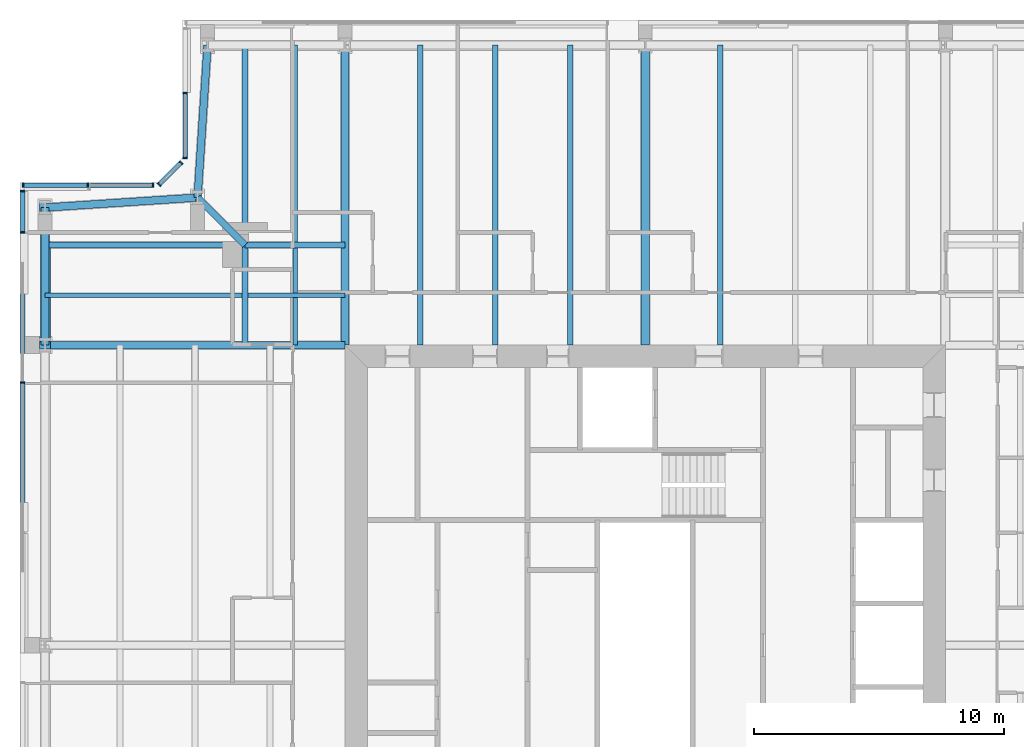
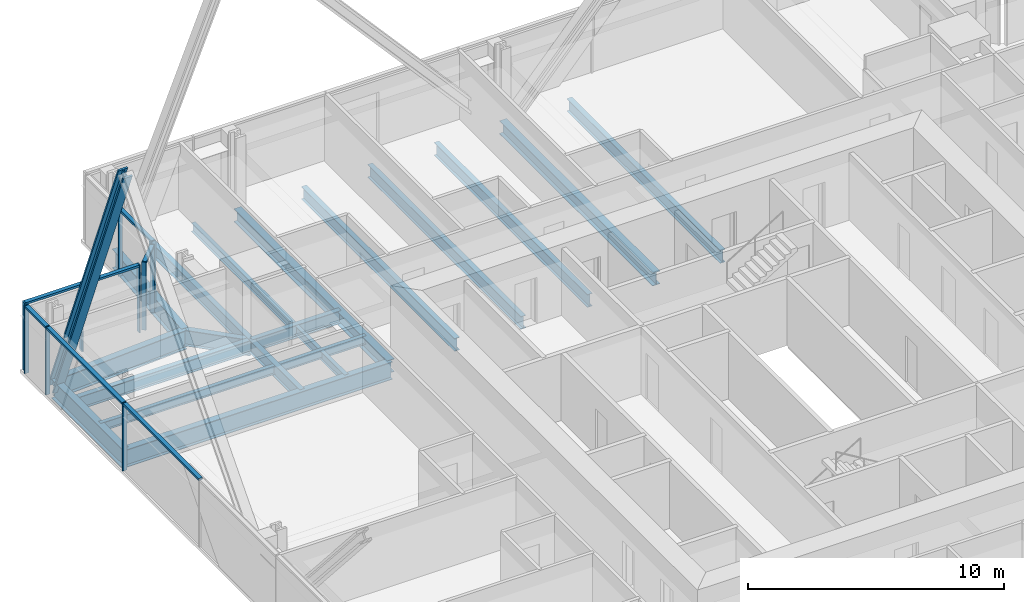
# One storey, part 7 of 20: 20 beams, 18 members, 4 elements without a shape of their own.
"""IFC4 building model written with IfcOpenShell, lengths in metres."""

from ifc_helpers import new_model, si_unit, direction, frame, origin, origin_2d, place, context, subcontext, project, spatial, rectangle, i_section, extrude, material, material_profile, profile_set, type_object, element, aggregate, save


model = new_model("IFC4")

# Units and contexts
model_context = context("Model", 3, precision=1e-05, world=origin(), true_north=direction((0.0, 1.0)))
body_context = subcontext(model_context, "Body", "Model", "MODEL_VIEW")
ifc_project = project(units=[si_unit("LENGTHUNIT", "METRE"), si_unit("AREAUNIT", "SQUARE_METRE"), si_unit("VOLUMEUNIT", "CUBIC_METRE"), si_unit("PLANEANGLEUNIT", "RADIAN"), si_unit("MASSUNIT", "GRAM", prefix="KILO")], contexts=[model_context])

# Site, building, storey
site_placement = place(None, origin())
site = spatial("IfcSite", under=ifc_project, at=site_placement, CompositionType="ELEMENT")
building_placement = place(site_placement, origin())
building = spatial("IfcBuilding", under=site, at=building_placement, Name="Fenwick Lantern Interchange", CompositionType="ELEMENT")
storey_placement = place(building_placement, frame((0.0, 0.0, 256.0)))
storey = spatial("IfcBuildingStorey", under=building, at=storey_placement, Name="L60", CompositionType="ELEMENT", Elevation=256.0)

# Beams
ifc_material_1 = material(Name="Steel ASTM A992 Grade 50", Category="steel")
ifc_material_profile_1 = material_profile(ifc_material_1, i_section(OverallWidth=0.3046875, OverallDepth=0.911865234375, WebThickness=0.015869140625, FlangeThickness=0.02392578125, at=origin_2d()), Name="W36X150")
ifc_profile_set_1 = profile_set([ifc_material_profile_1], Name="Steel ASTM A992 Grade 50")
beam_type_1 = type_object("IfcBeamType", Name="EDGE BEAM W36X150", PredefinedType="SPANDREL", material=ifc_profile_set_1)
for number, where, z_axis, x_axis, name in (
    (1, (7.5, 49.0, -0.60595703125), (-0.065416293237, -0.997858060337, 0.0), (0.997858060337, -0.065416293237, 0.0), "L60/FR/N/EBR1"),
    (2, (7.10009765625, 42.89990234375, -0.60595703125), (-0.997858060337, -0.065416293237, 0.0), (0.065416293237, -0.997858060337, 0.0), "L60/FR/N/EBR2"),
):
    element("IfcBeam", number, at=place(storey_placement, frame(where, z_axis=z_axis, x_axis=x_axis)), inside=storey, type_object=beam_type_1, Name=name, PredefinedType="SPANDREL", context=body_context, shape_type="SweptSolid", body=[
        extrude(i_section(OverallWidth=0.3046875, OverallDepth=0.911865234375, WebThickness=0.015869140625, FlangeThickness=0.02392578125, at=origin_2d()), origin(), (0.0, 0.0, 1.0), 6.11328125),
    ])
beam_1_placement = place(storey_placement, frame((1.0, 42.5, -0.60595703125), z_axis=(0.0, -1.0, 0.0), x_axis=(1.0, 0.0, 0.0)))
element("IfcBeam", 3, at=beam_1_placement, inside=storey, type_object=beam_type_1, Name="L60/FR/W/EB1", PredefinedType="SPANDREL", context=body_context, shape_type="SweptSolid", body=[
    extrude(i_section(OverallWidth=0.3046875, OverallDepth=0.911865234375, WebThickness=0.015869140625, FlangeThickness=0.02392578125, at=origin_2d()), origin(), (0.0, 0.0, 1.0), 5.5),
])

# Member
ifc_material_profile_2 = material_profile(ifc_material_1, i_section(OverallWidth=0.424072265625, OverallDepth=0.47509765625, WebThickness=0.0478515625, FlangeThickness=0.0771484375, at=origin_2d()), Name="W14X426")
ifc_profile_set_2 = profile_set([ifc_material_profile_2], Name="Steel ASTM A992 Grade 50")
member_type_1 = type_object("IfcMemberType", Name="FACADE BRACE W14X426", PredefinedType="BRACE", material=ifc_profile_set_2)
member_1_placement = place(storey_placement, frame((1.0, 42.5, -0.60595703125), z_axis=(0.0, -0.374911520251, 0.927060597794), x_axis=(1.0, 0.0, 0.0)))
element("IfcMember", 4, at=member_1_placement, inside=storey, type_object=member_type_1, Name="L60/FB/W/AE", PredefinedType="BRACE", context=body_context, shape_type="SweptSolid", body=[
    extrude(i_section(OverallWidth=0.424072265625, OverallDepth=0.47509765625, WebThickness=0.0478515625, FlangeThickness=0.0771484375, at=origin_2d()), origin(), (0.0, 0.0, 1.0), 14.670166015625),
])

# Beams
ifc_material_profile_3 = material_profile(ifc_material_1, i_section(OverallWidth=0.22900390625, OverallDepth=0.612060546875, WebThickness=0.011962890625, FlangeThickness=0.01953125, at=origin_2d()), Name="W24X84")
ifc_profile_set_3 = profile_set([ifc_material_profile_3], Name="Steel ASTM A992 Grade 50")
beam_type_2 = type_object("IfcBeamType", Name="FLOOR BEAM W24X84", PredefinedType="BEAM", material=ifc_profile_set_3)
for number, where, z_axis, x_axis, name in (
    (5, (28.0, 49.0, -0.4560546875), (0.0, -1.0, 0.0), (1.0, 0.0, 0.0), "L60/FR/N/R04"),
    (6, (22.0, 49.0, -0.4560546875), (0.0, -1.0, 0.0), (1.0, 0.0, 0.0), "L60/FR/N/R06"),
    (7, (19.0, 49.0, -0.4560546875), (0.0, -1.0, 0.0), (1.0, 0.0, 0.0), "L60/FR/N/R07"),
    (8, (16.0, 49.0, -0.4560546875), (0.0, -1.0, 0.0), (1.0, 0.0, 0.0), "L60/FR/N/R08"),
):
    element("IfcBeam", number, at=place(storey_placement, frame(where, z_axis=z_axis, x_axis=x_axis)), inside=storey, type_object=beam_type_2, Name=name, PredefinedType="BEAM", context=body_context, shape_type="SweptSolid", body=[
        extrude(i_section(OverallWidth=0.22900390625, OverallDepth=0.612060546875, WebThickness=0.011962890625, FlangeThickness=0.01953125, at=origin_2d()), origin(), (0.0, 0.0, 1.0), 12.0),
    ])

# Curtain wall, members
ifc_material_2 = material(Name="Aluminium curtain wall frame", Category="aluminium")
curtain_wall_type = type_object("IfcCurtainWallType", Name="HOTEL CURTAIN WALL", PredefinedType="USERDEFINED", material=ifc_material_2)
curtain_wall_1_placement = place(storey_placement, origin())
curtain_wall_1 = element("IfcCurtainWall", 9, at=curtain_wall_1_placement, inside=storey, type_object=curtain_wall_type, Name="Hotel curtain wall 10", ObjectType="HOTEL CURTAIN WALL", PredefinedType="USERDEFINED")
ifc_material_3 = material(Name="Aluminium extrusion", Category="aluminium")
ifc_material_profile_4 = material_profile(ifc_material_3, rectangle(XDim=0.179931640625, YDim=0.06005859375, at=origin_2d()), Name="HOTEL CURTAIN WALL MULLION 60 X 180")
ifc_profile_set_4 = profile_set([ifc_material_profile_4], Name="Aluminium extrusion")
member_type_2 = type_object("IfcMemberType", Name="HOTEL CURTAIN WALL MULLION 60 X 180", PredefinedType="MULLION", material=ifc_profile_set_4)
member_2_placement = place(storey_placement, frame((6.60009765625, 47.079345703125, 0.0), z_axis=(0.0, 0.0, 1.0), x_axis=(1.0, 0.0, 0.0)))
member_2 = element("IfcMember", 10, at=member_2_placement, type_object=member_type_2, Name="L60/CW/10/M01", PredefinedType="MULLION", context=body_context, shape_type="SweptSolid", body=[
    extrude(rectangle(XDim=0.179931640625, YDim=0.06005859375, at=origin_2d()), origin(), (0.0, 0.0, 1.0), 3.25),
])
member_3_placement = place(storey_placement, frame((6.60009765625, 44.488525390625, 0.0), z_axis=(0.0, 0.0, 1.0), x_axis=(1.0, 0.0, 0.0)))
member_3 = element("IfcMember", 11, at=member_3_placement, type_object=member_type_2, Name="L60/CW/10/M02", PredefinedType="MULLION", context=body_context, shape_type="SweptSolid", body=[
    extrude(rectangle(XDim=0.179931640625, YDim=0.06005859375, at=origin_2d()), origin(), (0.0, 0.0, 1.0), 3.25),
])

curtain_wall_2_placement = place(storey_placement, origin())
curtain_wall_2 = element("IfcCurtainWall", 12, at=curtain_wall_2_placement, inside=storey, type_object=curtain_wall_type, Name="Hotel curtain wall 11", ObjectType="HOTEL CURTAIN WALL", PredefinedType="USERDEFINED")
member_4_placement = place(storey_placement, frame((6.437255859375, 44.2958984375, 0.0), z_axis=(0.0, 0.0, 1.0), x_axis=(0.707106781187, -0.707106781187, 0.0)))
member_4 = element("IfcMember", 13, at=member_4_placement, type_object=member_type_2, Name="L60/CW/11/M00", PredefinedType="MULLION", context=body_context, shape_type="SweptSolid", body=[
    extrude(rectangle(XDim=0.179931640625, YDim=0.06005859375, at=origin_2d()), origin(), (0.0, 0.0, 1.0), 3.25),
])
member_5_placement = place(storey_placement, frame((5.562744140625, 43.421142578125, 0.0), z_axis=(0.0, 0.0, 1.0), x_axis=(0.707106781187, -0.707106781187, 0.0)))
member_5 = element("IfcMember", 14, at=member_5_placement, type_object=member_type_2, Name="L60/CW/11/M01", PredefinedType="MULLION", context=body_context, shape_type="SweptSolid", body=[
    extrude(rectangle(XDim=0.179931640625, YDim=0.06005859375, at=origin_2d()), origin(), (0.0, 0.0, 1.0), 3.25),
])

curtain_wall_3_placement = place(storey_placement, origin())
curtain_wall_3 = element("IfcCurtainWall", 15, at=curtain_wall_3_placement, inside=storey, type_object=curtain_wall_type, Name="Hotel curtain wall 12", ObjectType="HOTEL CURTAIN WALL", PredefinedType="USERDEFINED")
member_6_placement = place(storey_placement, frame((5.3115234375, 43.39990234375, 0.0), z_axis=(0.0, 0.0, 1.0), x_axis=(0.0, -1.0, 0.0)))
member_6 = element("IfcMember", 16, at=member_6_placement, type_object=member_type_2, Name="L60/CW/12/M00", PredefinedType="MULLION", context=body_context, shape_type="SweptSolid", body=[
    extrude(rectangle(XDim=0.179931640625, YDim=0.06005859375, at=origin_2d()), origin(), (0.0, 0.0, 1.0), 3.25),
])
member_7_placement = place(storey_placement, frame((2.720703125, 43.39990234375, 0.0), z_axis=(0.0, 0.0, 1.0), x_axis=(0.0, -1.0, 0.0)))
member_7 = element("IfcMember", 17, at=member_7_placement, type_object=member_type_2, Name="L60/CW/12/M01", PredefinedType="MULLION", context=body_context, shape_type="SweptSolid", body=[
    extrude(rectangle(XDim=0.179931640625, YDim=0.06005859375, at=origin_2d()), origin(), (0.0, 0.0, 1.0), 3.25),
])
member_8_placement = place(storey_placement, frame((0.1298828125, 43.39990234375, 0.0), z_axis=(0.0, 0.0, 1.0), x_axis=(0.0, -1.0, 0.0)))
member_8 = element("IfcMember", 18, at=member_8_placement, type_object=member_type_2, Name="L60/CW/12/M02", PredefinedType="MULLION", context=body_context, shape_type="SweptSolid", body=[
    extrude(rectangle(XDim=0.179931640625, YDim=0.06005859375, at=origin_2d()), origin(), (0.0, 0.0, 1.0), 3.25),
])

curtain_wall_4_placement = place(storey_placement, origin())
curtain_wall_4 = element("IfcCurtainWall", 19, at=curtain_wall_4_placement, inside=storey, type_object=curtain_wall_type, Name="Hotel curtain wall 13", ObjectType="HOTEL CURTAIN WALL", PredefinedType="USERDEFINED")
member_9_placement = place(storey_placement, frame((0.10009765625, 43.169921875, 0.0), z_axis=(0.0, 0.0, 1.0), x_axis=(1.0, 0.0, 0.0)))
member_9 = element("IfcMember", 20, at=member_9_placement, type_object=member_type_2, Name="L60/CW/13/M00", PredefinedType="MULLION", context=body_context, shape_type="SweptSolid", body=[
    extrude(rectangle(XDim=0.179931640625, YDim=0.06005859375, at=origin_2d()), origin(), (0.0, 0.0, 1.0), 3.25),
])
member_10_placement = place(storey_placement, frame((0.10009765625, 41.5, 0.0), z_axis=(0.0, 0.0, 1.0), x_axis=(1.0, 0.0, 0.0)))
member_10 = element("IfcMember", 21, at=member_10_placement, type_object=member_type_2, Name="L60/CW/13/M01", PredefinedType="MULLION", context=body_context, shape_type="SweptSolid", body=[
    extrude(rectangle(XDim=0.179931640625, YDim=0.06005859375, at=origin_2d()), origin(), (0.0, 0.0, 1.0), 3.25),
])
member_11_placement = place(storey_placement, frame((0.10009765625, 35.5, 0.0), z_axis=(0.0, 0.0, 1.0), x_axis=(1.0, 0.0, 0.0)))
member_11 = element("IfcMember", 22, at=member_11_placement, type_object=member_type_2, Name="L60/CW/13/M02", PredefinedType="MULLION", context=body_context, shape_type="SweptSolid", body=[
    extrude(rectangle(XDim=0.179931640625, YDim=0.06005859375, at=origin_2d()), origin(), (0.0, 0.0, 1.0), 3.25),
])

# Member
ifc_material_profile_5 = material_profile(ifc_material_3, rectangle(XDim=0.179931640625, YDim=0.10009765625, at=origin_2d()), Name="HOTEL CURTAIN WALL TRANSOM 100 X 180")
ifc_profile_set_5 = profile_set([ifc_material_profile_5], Name="Aluminium extrusion")
member_type_3 = type_object("IfcMemberType", Name="HOTEL CURTAIN WALL TRANSOM 100 X 180", PredefinedType="MULLION", material=ifc_profile_set_5)
member_12_placement = place(storey_placement, frame((6.60009765625, 47.04931640625, 3.199951171875), z_axis=(0.0, -1.0, 0.0), x_axis=(1.0, 0.0, 0.0)))
member_12 = element("IfcMember", 23, at=member_12_placement, type_object=member_type_3, Name="L60/CW/10/T01", PredefinedType="MULLION", context=body_context, shape_type="SweptSolid", body=[
    extrude(rectangle(XDim=0.179931640625, YDim=0.10009765625, at=origin_2d()), origin(), (0.0, 0.0, 1.0), 2.53076171875),
])

aggregate(curtain_wall_1, [member_2, member_3, member_12])

member_13_placement = place(storey_placement, frame((6.416259765625, 44.274658203125, 3.199951171875), z_axis=(-0.707210470133, -0.707003077033, 0.0), x_axis=(0.707003077033, -0.707210470133, 0.0)))
member_13 = element("IfcMember", 24, at=member_13_placement, type_object=member_type_3, Name="L60/CW/11/T00", PredefinedType="MULLION", context=body_context, shape_type="SweptSolid", body=[
    extrude(rectangle(XDim=0.179931640625, YDim=0.10009765625, at=origin_2d()), origin(), (0.0, 0.0, 1.0), 1.17724609375),
])

aggregate(curtain_wall_2, [member_4, member_5, member_13])

member_14_placement = place(storey_placement, frame((5.281494140625, 43.39990234375, 3.199951171875), z_axis=(-1.0, 0.0, 0.0), x_axis=(0.0, -1.0, 0.0)))
member_14 = element("IfcMember", 25, at=member_14_placement, type_object=member_type_3, Name="L60/CW/12/T00", PredefinedType="MULLION", context=body_context, shape_type="SweptSolid", body=[
    extrude(rectangle(XDim=0.179931640625, YDim=0.10009765625, at=origin_2d()), origin(), (0.0, 0.0, 1.0), 2.53076171875),
])

member_15_placement = place(storey_placement, frame((2.690673828125, 43.39990234375, 3.199951171875), z_axis=(-1.0, 0.0, 0.0), x_axis=(0.0, -1.0, 0.0)))
member_15 = element("IfcMember", 26, at=member_15_placement, type_object=member_type_3, Name="L60/CW/12/T01", PredefinedType="MULLION", context=body_context, shape_type="SweptSolid", body=[
    extrude(rectangle(XDim=0.179931640625, YDim=0.10009765625, at=origin_2d()), origin(), (0.0, 0.0, 1.0), 2.53076171875),
])

aggregate(curtain_wall_3, [member_6, member_7, member_8, member_14, member_15])

member_16_placement = place(storey_placement, frame((0.10009765625, 43.139892578125, 3.199951171875), z_axis=(0.0, -1.0, 0.0), x_axis=(1.0, 0.0, 0.0)))
member_16 = element("IfcMember", 27, at=member_16_placement, type_object=member_type_3, Name="L60/CW/13/T00", PredefinedType="MULLION", context=body_context, shape_type="SweptSolid", body=[
    extrude(rectangle(XDim=0.179931640625, YDim=0.10009765625, at=origin_2d()), origin(), (0.0, 0.0, 1.0), 1.60986328125),
])

member_17_placement = place(storey_placement, frame((0.10009765625, 41.469970703125, 3.199951171875), z_axis=(0.0, -1.0, 0.0), x_axis=(1.0, 0.0, 0.0)))
member_17 = element("IfcMember", 28, at=member_17_placement, type_object=member_type_3, Name="L60/CW/13/T01", PredefinedType="MULLION", context=body_context, shape_type="SweptSolid", body=[
    extrude(rectangle(XDim=0.179931640625, YDim=0.10009765625, at=origin_2d()), origin(), (0.0, 0.0, 1.0), 5.93994140625),
])

member_18_placement = place(storey_placement, frame((0.10009765625, 35.469970703125, 3.199951171875), z_axis=(0.0, -1.0, 0.0), x_axis=(1.0, 0.0, 0.0)))
member_18 = element("IfcMember", 29, at=member_18_placement, type_object=member_type_3, Name="L60/CW/13/T02", PredefinedType="MULLION", context=body_context, shape_type="SweptSolid", body=[
    extrude(rectangle(XDim=0.179931640625, YDim=0.10009765625, at=origin_2d()), origin(), (0.0, 0.0, 1.0), 5.93994140625),
])

aggregate(curtain_wall_4, [member_9, member_10, member_11, member_16, member_17, member_18])

# Beams
ifc_material_profile_6 = material_profile(ifc_material_1, i_section(OverallWidth=0.177734375, OverallDepth=0.406494140625, WebThickness=0.0078125, FlangeThickness=0.012939453125, at=origin_2d()), Name="W16X40")
ifc_profile_set_6 = profile_set([ifc_material_profile_6], Name="Steel ASTM A992 Grade 50")
beam_type_3 = type_object("IfcBeamType", Name="INFILL BEAM W16X40", PredefinedType="JOIST", material=ifc_profile_set_6)
beam_2_placement = place(storey_placement, frame((1.0, 39.0, -0.353271484375), z_axis=(1.0, 0.0, 0.0), x_axis=(0.0, 1.0, 0.0)))
element("IfcBeam", 30, at=beam_2_placement, inside=storey, type_object=beam_type_3, Name="L60/FR/W/J1", PredefinedType="JOIST", context=body_context, shape_type="SweptSolid", body=[
    extrude(i_section(OverallWidth=0.177734375, OverallDepth=0.406494140625, WebThickness=0.0078125, FlangeThickness=0.012939453125, at=origin_2d()), origin(), (0.0, 0.0, 1.0), 7.885498046875),
])
beam_3_placement = place(storey_placement, frame((9.114501953125, 39.0, -0.353271484375), z_axis=(1.0, 0.0, 0.0), x_axis=(0.0, 1.0, 0.0)))
element("IfcBeam", 31, at=beam_3_placement, inside=storey, type_object=beam_type_3, Name="L60/FR/W/J2", PredefinedType="JOIST", context=body_context, shape_type="SweptSolid", body=[
    extrude(i_section(OverallWidth=0.177734375, OverallDepth=0.406494140625, WebThickness=0.0078125, FlangeThickness=0.012939453125, at=origin_2d()), origin(), (0.0, 0.0, 1.0), 3.885498046875),
])
beam_4_placement = place(storey_placement, frame((11.0, 49.0, -0.353271484375), z_axis=(0.0, -1.0, 0.0), x_axis=(1.0, 0.0, 0.0)))
element("IfcBeam", 32, at=beam_4_placement, inside=storey, type_object=beam_type_3, Name="L60/FR/W/J3", PredefinedType="JOIST", context=body_context, shape_type="SweptSolid", body=[
    extrude(i_section(OverallWidth=0.177734375, OverallDepth=0.406494140625, WebThickness=0.0078125, FlangeThickness=0.012939453125, at=origin_2d()), origin(), (0.0, 0.0, 1.0), 7.885498046875),
])
beam_5_placement = place(storey_placement, frame((11.0, 40.885498046875, -0.353271484375), z_axis=(0.0, -1.0, 0.0), x_axis=(1.0, 0.0, 0.0)))
element("IfcBeam", 33, at=beam_5_placement, inside=storey, type_object=beam_type_3, Name="L60/FR/W/J4", PredefinedType="JOIST", context=body_context, shape_type="SweptSolid", body=[
    extrude(i_section(OverallWidth=0.177734375, OverallDepth=0.406494140625, WebThickness=0.0078125, FlangeThickness=0.012939453125, at=origin_2d()), origin(), (0.0, 0.0, 1.0), 1.796630859375),
])
beam_6_placement = place(storey_placement, frame((11.0, 38.9111328125, -0.353271484375), z_axis=(0.0, -1.0, 0.0), x_axis=(1.0, 0.0, 0.0)))
element("IfcBeam", 34, at=beam_6_placement, inside=storey, type_object=beam_type_3, Name="L60/FR/W/J5", PredefinedType="JOIST", context=body_context, shape_type="SweptSolid", body=[
    extrude(i_section(OverallWidth=0.177734375, OverallDepth=0.406494140625, WebThickness=0.0078125, FlangeThickness=0.012939453125, at=origin_2d()), origin(), (0.0, 0.0, 1.0), 1.9111328125),
])
ifc_material_profile_7 = material_profile(ifc_material_1, i_section(OverallWidth=0.22900390625, OverallDepth=0.612060546875, WebThickness=0.011962890625, FlangeThickness=0.01953125, at=origin_2d()), Name="W24X84")
ifc_profile_set_7 = profile_set([ifc_material_profile_7], Name="Steel ASTM A992 Grade 50")
beam_type_4 = type_object("IfcBeamType", Name="MEGA COLUMN BEAM W24X84", PredefinedType="BEAM", material=ifc_profile_set_7)
for number, where, z_axis, x_axis, name in (
    (35, (9.0, 41.0, -0.4560546875), (-1.0, 0.0, 0.0), (0.0, -1.0, 0.0), "L60/FR/W/MB1"),
    (36, (9.0, 41.0, -0.4560546875), (0.0, 1.0, 0.0), (-1.0, 0.0, 0.0), "L60/FR/W/MB2"),
):
    element("IfcBeam", number, at=place(storey_placement, frame(where, z_axis=z_axis, x_axis=x_axis)), inside=storey, type_object=beam_type_4, Name=name, PredefinedType="BEAM", context=body_context, shape_type="SweptSolid", body=[
        extrude(i_section(OverallWidth=0.22900390625, OverallDepth=0.612060546875, WebThickness=0.011962890625, FlangeThickness=0.01953125, at=origin_2d()), origin(), (0.0, 0.0, 1.0), 8.0),
    ])
for number, where, z_axis, x_axis, name in (
    (37, (9.0, 41.0, -0.4560546875), (0.0, -1.0, 0.0), (1.0, 0.0, 0.0), "L60/FR/W/MB3"),
    (38, (9.0, 41.0, -0.4560546875), (1.0, 0.0, 0.0), (0.0, 1.0, 0.0), "L60/FR/W/MB4"),
):
    element("IfcBeam", number, at=place(storey_placement, frame(where, z_axis=z_axis, x_axis=x_axis)), inside=storey, type_object=beam_type_4, Name=name, PredefinedType="BEAM", context=body_context, shape_type="SweptSolid", body=[
        extrude(i_section(OverallWidth=0.22900390625, OverallDepth=0.612060546875, WebThickness=0.011962890625, FlangeThickness=0.01953125, at=origin_2d()), origin(), (0.0, 0.0, 1.0), 4.0),
    ])
ifc_material_profile_8 = material_profile(ifc_material_1, i_section(OverallWidth=0.32763671875, OverallDepth=0.622314453125, WebThickness=0.015380859375, FlangeThickness=0.0244140625, at=origin_2d()), Name="W24X131")
ifc_profile_set_8 = profile_set([ifc_material_profile_8], Name="Steel ASTM A992 Grade 50")
beam_type_5 = type_object("IfcBeamType", Name="MOMENT-CONNECTED GIRDER W24X131", PredefinedType="BEAM", material=ifc_profile_set_8)
for number, where, z_axis, x_axis, name in (
    (39, (25.0, 49.0, -0.461181640625), (0.0, -1.0, 0.0), (1.0, 0.0, 0.0), "L60/FR/N/R05"),
    (40, (13.0, 49.0, -0.461181640625), (0.0, -1.0, 0.0), (1.0, 0.0, 0.0), "L60/FR/N/R09"),
):
    element("IfcBeam", number, at=place(storey_placement, frame(where, z_axis=z_axis, x_axis=x_axis)), inside=storey, type_object=beam_type_5, Name=name, PredefinedType="BEAM", context=body_context, shape_type="SweptSolid", body=[
        extrude(i_section(OverallWidth=0.32763671875, OverallDepth=0.622314453125, WebThickness=0.015380859375, FlangeThickness=0.0244140625, at=origin_2d()), origin(), (0.0, 0.0, 1.0), 12.0),
    ])
ifc_material_profile_9 = material_profile(ifc_material_1, i_section(OverallWidth=0.2919921875, OverallDepth=0.845703125, WebThickness=0.015380859375, FlangeThickness=0.0244140625, at=origin_2d()), Name="W33X141")
ifc_profile_set_9 = profile_set([ifc_material_profile_9], Name="Steel ASTM A992 Grade 50")
beam_type_6 = type_object("IfcBeamType", Name="MOMENT-CONNECTED GIRDER W33X141", PredefinedType="BEAM", material=ifc_profile_set_9)
beam_7_placement = place(storey_placement, frame((1.0, 37.0, -0.572998046875), z_axis=(1.0, 0.0, 0.0), x_axis=(0.0, 1.0, 0.0)))
element("IfcBeam", 41, at=beam_7_placement, inside=storey, type_object=beam_type_6, Name="L60/FR/W/R01", PredefinedType="BEAM", context=body_context, shape_type="SweptSolid", body=[
    extrude(i_section(OverallWidth=0.2919921875, OverallDepth=0.845703125, WebThickness=0.015380859375, FlangeThickness=0.0244140625, at=origin_2d()), origin(), (0.0, 0.0, 1.0), 12.0),
])
ifc_material_profile_10 = material_profile(ifc_material_1, i_section(OverallWidth=0.2666015625, OverallDepth=0.7568359375, WebThickness=0.013916015625, FlangeThickness=0.019287109375, at=origin_2d()), Name="W30X108")
ifc_profile_set_10 = profile_set([ifc_material_profile_10], Name="Steel ASTM A992 Grade 50")
beam_type_7 = type_object("IfcBeamType", Name="NOTCH BEAM W30X108", PredefinedType="BEAM", material=ifc_profile_set_10)
beam_8_placement = place(storey_placement, frame((9.0, 41.0, -0.528564453125), z_axis=(-0.707106781187, 0.707106781187, 0.0), x_axis=(-0.707106781187, -0.707106781187, 0.0)))
element("IfcBeam", 42, at=beam_8_placement, inside=storey, type_object=beam_type_7, Name="L60/FR/W/TG", PredefinedType="BEAM", context=body_context, shape_type="SweptSolid", body=[
    extrude(i_section(OverallWidth=0.2666015625, OverallDepth=0.7568359375, WebThickness=0.013916015625, FlangeThickness=0.019287109375, at=origin_2d()), origin(), (0.0, 0.0, 1.0), 2.686767578125),
])

save(model, "model.ifc")
